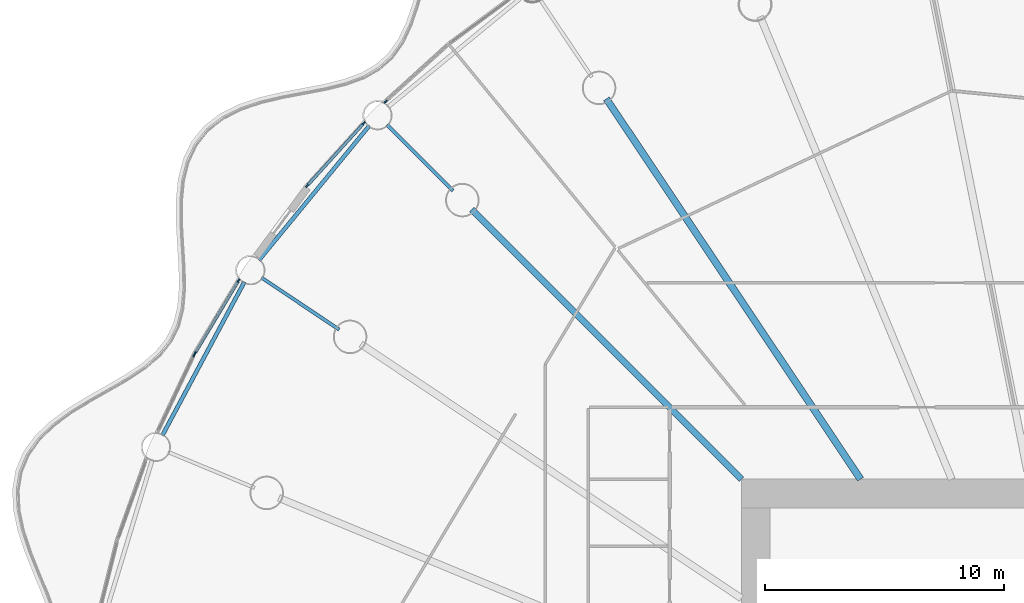
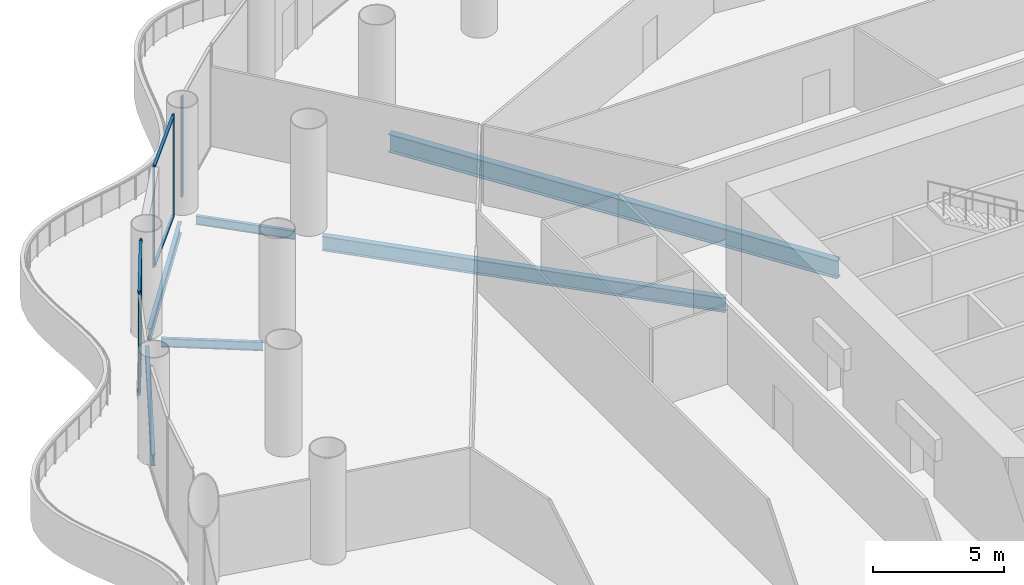
# One storey, part 14 of 35: 10 members, 6 beams, 4 elements without a shape of their own.
"""IFC4 building model written with IfcOpenShell, lengths in metres."""

from ifc_helpers import new_model, si_unit, direction, frame, origin, origin_2d, place, context, subcontext, project, spatial, rectangle, i_section, extrude, material, material_profile, profile_set, type_object, element, aggregate, save


model = new_model("IFC4")

# Units and contexts
model_context = context("Model", 3, precision=1e-05, world=origin(), true_north=direction((0.0, 1.0)))
body_context = subcontext(model_context, "Body", "Model", "MODEL_VIEW")
ifc_project = project(units=[si_unit("LENGTHUNIT", "METRE"), si_unit("AREAUNIT", "SQUARE_METRE"), si_unit("VOLUMEUNIT", "CUBIC_METRE"), si_unit("PLANEANGLEUNIT", "RADIAN"), si_unit("MASSUNIT", "GRAM", prefix="KILO")], contexts=[model_context])

# Site, building, storey
site_placement = place(None, origin())
site = spatial("IfcSite", under=ifc_project, at=site_placement, CompositionType="ELEMENT")
building_placement = place(site_placement, origin())
building = spatial("IfcBuilding", under=site, at=building_placement, Name="Corvane Civic Tower", CompositionType="ELEMENT")
storey_placement = place(building_placement, frame((0.0, 0.0, 22.0)))
storey = spatial("IfcBuildingStorey", under=building, at=storey_placement, Name="L04", CompositionType="ELEMENT", Elevation=22.0)

# Beams
ifc_material_1 = material(Name="Steel ASTM A992 Gr 50", Category="steel")
ifc_material_profile_1 = material_profile(ifc_material_1, i_section(OverallWidth=0.165771484375, OverallDepth=0.5283203125, WebThickness=0.009765625, FlangeThickness=0.013671875, at=origin_2d()), Name="W21X50")
ifc_profile_set_1 = profile_set([ifc_material_profile_1], Name="Steel ASTM A992 Gr 50")
beam_type_1 = type_object("IfcBeamType", Name="EDGE BEAM W21X50", PredefinedType="BEAM", material=ifc_profile_set_1)
for number, where, z_axis, x_axis, name in (
    (1, (-39.1904296875, 16.82568359375, -0.564208984375), (0.471412394598, 0.881912894916, 0.0), (-0.881912894916, 0.471412394598, 0.0), "BM-L04-E27"),
    (2, (-35.15478515625, 24.14794921875, -0.564208984375), (0.634396365205, 0.773007924807, 0.0), (-0.773007924807, 0.634396365205, 0.0), "BM-L04-E28"),
):
    element("IfcBeam", number, at=place(storey_placement, frame(where, z_axis=z_axis, x_axis=x_axis)), inside=storey, type_object=beam_type_1, Name=name, PredefinedType="BEAM", context=body_context, shape_type="SweptSolid", body=[
        extrude(i_section(OverallWidth=0.165771484375, OverallDepth=0.5283203125, WebThickness=0.009765625, FlangeThickness=0.013671875, at=origin_2d()), origin(), (0.0, 0.0, 1.0), 7.270751953125),
    ])
ifc_material_2 = material(Name="Steel ASTM A992 Gr 50", Category="steel")
ifc_material_profile_2 = material_profile(ifc_material_2, i_section(OverallWidth=0.140380859375, OverallDepth=0.40380859375, WebThickness=0.007080078125, FlangeThickness=0.01123046875, at=origin_2d()), Name="W16X31")
ifc_profile_set_2 = profile_set([ifc_material_profile_2], Name="Steel ASTM A992 Gr 50")
beam_type_2 = type_object("IfcBeamType", Name="FLOOR GIRDER W16X31", PredefinedType="BEAM", material=ifc_profile_set_2)
for number, where, z_axis, x_axis, name in (
    (3, (-31.8037109375, 21.25048828125, -0.501953125), (-0.831462344301, 0.555581110199, 0.0), (-0.555581110199, -0.831462344301, 0.0), "BM-L04-G28b"),
    (4, (-27.046875, 27.046875, -0.501953125), (-0.707106781187, 0.707106781187, 0.0), (-0.707106781187, -0.707106781187, 0.0), "BM-L04-G29b"),
):
    element("IfcBeam", number, at=place(storey_placement, frame(where, z_axis=z_axis, x_axis=x_axis)), inside=storey, type_object=beam_type_2, Name=name, PredefinedType="BEAM", context=body_context, shape_type="SweptSolid", body=[
        extrude(i_section(OverallWidth=0.140380859375, OverallDepth=0.40380859375, WebThickness=0.007080078125, FlangeThickness=0.01123046875, at=origin_2d()), origin(), (0.0, 0.0, 1.0), 3.89990234375),
    ])
ifc_material_3 = material(Name="Steel ASTM A992 Gr 50", Category="steel")
ifc_material_profile_3 = material_profile(ifc_material_3, i_section(OverallWidth=0.25390625, OverallDepth=0.67822265625, WebThickness=0.01171875, FlangeThickness=0.016357421875, at=origin_2d()), Name="W27X84")
ifc_profile_set_3 = profile_set([ifc_material_profile_3], Name="Steel ASTM A992 Gr 50")
beam_type_3 = type_object("IfcBeamType", Name="FLOOR GIRDER W27X84", PredefinedType="BEAM", material=ifc_profile_set_3)
beam_1_placement = place(storey_placement, frame((-15.0, 15.0, -0.63916015625), z_axis=(-0.707106781187, 0.707106781187, 0.0), x_axis=(-0.707106781187, -0.707106781187, 0.0)))
element("IfcBeam", 5, at=beam_1_placement, inside=storey, type_object=beam_type_3, Name="BM-L04-G29", PredefinedType="BEAM", context=body_context, shape_type="SweptSolid", body=[
    extrude(i_section(OverallWidth=0.25390625, OverallDepth=0.67822265625, WebThickness=0.01171875, FlangeThickness=0.016357421875, at=origin_2d()), origin(), (0.0, 0.0, 1.0), 15.936767578125),
])
ifc_material_4 = material(Name="Steel ASTM A992 Gr 50", Category="steel")
ifc_material_profile_4 = material_profile(ifc_material_4, i_section(OverallWidth=0.2919921875, OverallDepth=0.845703125, WebThickness=0.015380859375, FlangeThickness=0.0244140625, at=origin_2d()), Name="W33X141")
ifc_profile_set_4 = profile_set([ifc_material_profile_4], Name="Steel ASTM A992 Gr 50")
beam_type_4 = type_object("IfcBeamType", Name="FLOOR GIRDER W33X141", PredefinedType="BEAM", material=ifc_profile_set_4)
beam_2_placement = place(storey_placement, frame((-10.022705078125, 15.0, -0.722900390625), z_axis=(-0.555566681385, 0.831471985418, 0.0), x_axis=(-0.831471985418, -0.555566681385, 0.0)))
element("IfcBeam", 6, at=beam_2_placement, inside=storey, type_object=beam_type_4, Name="BM-L04-G30", PredefinedType="BEAM", context=body_context, shape_type="SweptSolid", body=[
    extrude(i_section(OverallWidth=0.2919921875, OverallDepth=0.845703125, WebThickness=0.015380859375, FlangeThickness=0.0244140625, at=origin_2d()), origin(), (0.0, 0.0, 1.0), 19.109619140625),
])

# Curtain wall, member
ifc_material_5 = material(Name="Aluminium and glass", Category="aluminium")
curtain_wall_type = type_object("IfcCurtainWallType", Name="PODIUM-CW-P-RUN", PredefinedType="NOTDEFINED", material=ifc_material_5)
curtain_wall_1_placement = place(storey_placement, origin())
curtain_wall_1 = element("IfcCurtainWall", 7, at=curtain_wall_1_placement, inside=storey, type_object=curtain_wall_type, Name="PODI run L04-drum-27A", PredefinedType="NOTDEFINED")
ifc_material_6 = material(Name="Anodised aluminium bronze", Category="aluminium")
ifc_material_profile_5 = material_profile(ifc_material_6, rectangle(XDim=0.06005859375, YDim=0.159912109375, at=origin_2d()), Name="AL 60x160")
ifc_profile_set_5 = profile_set([ifc_material_profile_5], Name="Anodised aluminium bronze")
member_type_1 = type_object("IfcMemberType", Name="PODIUM-CWP-MULLION-60x160", PredefinedType="MULLION", material=ifc_profile_set_5)
member_1_placement = place(storey_placement, frame((-37.862548828125, 20.186279296875, 0.0), z_axis=(0.0, 0.0, 1.0), x_axis=(-0.903990222454, 0.42755312852, 0.0)))
member_1 = element("IfcMember", 8, at=member_1_placement, type_object=member_type_1, Name="CW-P mullion 2", PredefinedType="MULLION", context=body_context, shape_type="SweptSolid", body=[
    extrude(rectangle(XDim=0.06005859375, YDim=0.159912109375, at=origin_2d()), origin(), (0.0, 0.0, 1.0), 4.699951171875),
])
aggregate(curtain_wall_1, [member_1])

# Curtain wall, members
curtain_wall_2_placement = place(storey_placement, origin())
curtain_wall_2 = element("IfcCurtainWall", 9, at=curtain_wall_2_placement, inside=storey, type_object=curtain_wall_type, Name="PODI run L04-drum-27B", PredefinedType="NOTDEFINED")
member_2_placement = place(storey_placement, frame((-37.819580078125, 20.2666015625, 0.0), z_axis=(0.0, 0.0, 1.0), x_axis=(-0.857719609779, 0.514117759857, 0.0)))
member_2 = element("IfcMember", 10, at=member_2_placement, type_object=member_type_1, Name="CW-P mullion 1", PredefinedType="MULLION", context=body_context, shape_type="SweptSolid", body=[
    extrude(rectangle(XDim=0.06005859375, YDim=0.159912109375, at=origin_2d()), origin(), (0.0, 0.0, 1.0), 4.699951171875),
])
member_3_placement = place(storey_placement, frame((-36.010009765625, 23.28564453125, 0.0), z_axis=(0.0, 0.0, 1.0), x_axis=(-0.857719609779, 0.514117759857, 0.0)))
member_3 = element("IfcMember", 11, at=member_3_placement, type_object=member_type_1, Name="CW-P mullion 2", PredefinedType="MULLION", context=body_context, shape_type="SweptSolid", body=[
    extrude(rectangle(XDim=0.06005859375, YDim=0.159912109375, at=origin_2d()), origin(), (0.0, 0.0, 1.0), 4.699951171875),
])

curtain_wall_3_placement = place(storey_placement, origin())
curtain_wall_3 = element("IfcCurtainWall", 12, at=curtain_wall_3_placement, inside=storey, type_object=curtain_wall_type, Name="PODI run L04-drum-28B", PredefinedType="NOTDEFINED")
member_4_placement = place(storey_placement, frame((-33.13916015625, 27.25537109375, 0.0), z_axis=(0.0, 0.0, 1.0), x_axis=(-0.740935261089, 0.671576457952, 0.0)))
member_4 = element("IfcMember", 13, at=member_4_placement, type_object=member_type_1, Name="CW-P mullion 1", PredefinedType="MULLION", context=body_context, shape_type="SweptSolid", body=[
    extrude(rectangle(XDim=0.06005859375, YDim=0.159912109375, at=origin_2d()), origin(), (0.0, 0.0, 1.0), 4.699951171875),
])
member_5_placement = place(storey_placement, frame((-30.775390625, 29.863525390625, 0.0), z_axis=(0.0, 0.0, 1.0), x_axis=(-0.740935261089, 0.671576457952, 0.0)))
member_5 = element("IfcMember", 14, at=member_5_placement, type_object=member_type_1, Name="CW-P mullion 2", PredefinedType="MULLION", context=body_context, shape_type="SweptSolid", body=[
    extrude(rectangle(XDim=0.06005859375, YDim=0.159912109375, at=origin_2d()), origin(), (0.0, 0.0, 1.0), 4.699951171875),
])

# Curtain wall, member
curtain_wall_4_placement = place(storey_placement, origin())
curtain_wall_4 = element("IfcCurtainWall", 15, at=curtain_wall_4_placement, inside=storey, type_object=curtain_wall_type, Name="PODI run L04-drum-29A", PredefinedType="NOTDEFINED")
member_6_placement = place(storey_placement, frame((-29.863525390625, 30.775390625, 0.0), z_axis=(0.0, 0.0, 1.0), x_axis=(-0.671576457952, 0.740935261089, 0.0)))
member_6 = element("IfcMember", 16, at=member_6_placement, type_object=member_type_1, Name="CW-P mullion 1", PredefinedType="MULLION", context=body_context, shape_type="SweptSolid", body=[
    extrude(rectangle(XDim=0.06005859375, YDim=0.159912109375, at=origin_2d()), origin(), (0.0, 0.0, 1.0), 4.699951171875),
])
aggregate(curtain_wall_4, [member_6])

# Member
ifc_material_7 = material(Name="Anodised aluminium bronze", Category="aluminium")
ifc_material_profile_6 = material_profile(ifc_material_7, rectangle(XDim=0.1201171875, YDim=0.06005859375, at=origin_2d()), Name="AL 120x60")
ifc_profile_set_6 = profile_set([ifc_material_profile_6], Name="Anodised aluminium bronze")
member_type_2 = type_object("IfcMemberType", Name="PODIUM-CWP-TRANSOM-60x120", PredefinedType="USERDEFINED", material=ifc_profile_set_6)
member_7_placement = place(storey_placement, frame((-37.80419921875, 20.29248046875, 0.030029296875), z_axis=(0.514111713099, 0.857723234181, 0.0), x_axis=(-0.857723234181, 0.514111713099, 0.0)))
member_7 = element("IfcMember", 17, at=member_7_placement, type_object=member_type_2, Name="CW-P transom 1.1", ObjectType="TRANSOM", PredefinedType="USERDEFINED", context=body_context, shape_type="SweptSolid", body=[
    extrude(rectangle(XDim=0.1201171875, YDim=0.06005859375, at=origin_2d()), origin(), (0.0, 0.0, 1.0), 3.45947265625),
])

member_8_placement = place(storey_placement, frame((-37.80419921875, 20.29248046875, 4.669921875), z_axis=(0.514111713099, 0.857723234181, 0.0), x_axis=(-0.857723234181, 0.514111713099, 0.0)))
member_8 = element("IfcMember", 18, at=member_8_placement, type_object=member_type_2, Name="CW-P transom 1.2", ObjectType="TRANSOM", PredefinedType="USERDEFINED", context=body_context, shape_type="SweptSolid", body=[
    extrude(rectangle(XDim=0.1201171875, YDim=0.06005859375, at=origin_2d()), origin(), (0.0, 0.0, 1.0), 3.45947265625),
])

aggregate(curtain_wall_2, [member_2, member_3, member_7, member_8])

member_9_placement = place(storey_placement, frame((-33.119140625, 27.277587890625, 0.030029296875), z_axis=(0.671576323599, 0.740935382865, 0.0), x_axis=(-0.740935382865, 0.671576323599, 0.0)))
member_9 = element("IfcMember", 19, at=member_9_placement, type_object=member_type_2, Name="CW-P transom 1.1", ObjectType="TRANSOM", PredefinedType="USERDEFINED", context=body_context, shape_type="SweptSolid", body=[
    extrude(rectangle(XDim=0.1201171875, YDim=0.06005859375, at=origin_2d()), origin(), (0.0, 0.0, 1.0), 3.460205078125),
])

member_10_placement = place(storey_placement, frame((-33.119140625, 27.277587890625, 4.669921875), z_axis=(0.671576323599, 0.740935382865, 0.0), x_axis=(-0.740935382865, 0.671576323599, 0.0)))
member_10 = element("IfcMember", 20, at=member_10_placement, type_object=member_type_2, Name="CW-P transom 1.2", ObjectType="TRANSOM", PredefinedType="USERDEFINED", context=body_context, shape_type="SweptSolid", body=[
    extrude(rectangle(XDim=0.1201171875, YDim=0.06005859375, at=origin_2d()), origin(), (0.0, 0.0, 1.0), 3.460205078125),
])

aggregate(curtain_wall_3, [member_4, member_5, member_9, member_10])

save(model, "model.ifc")
